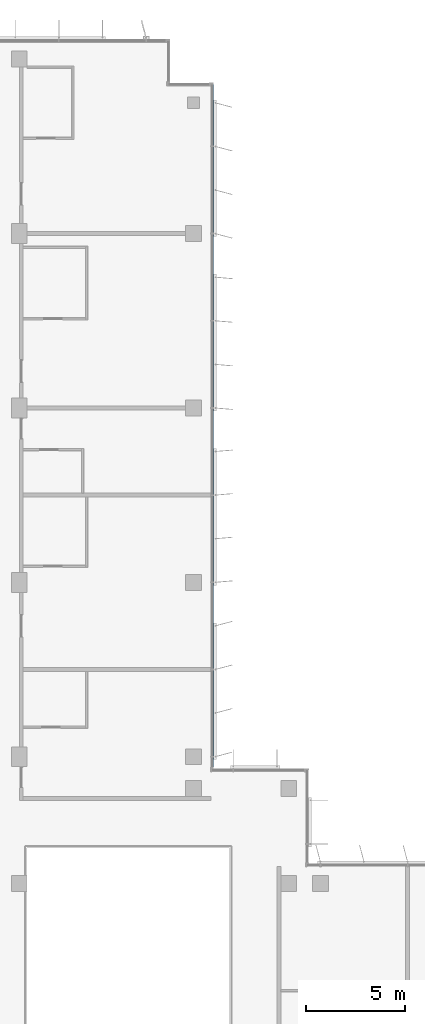
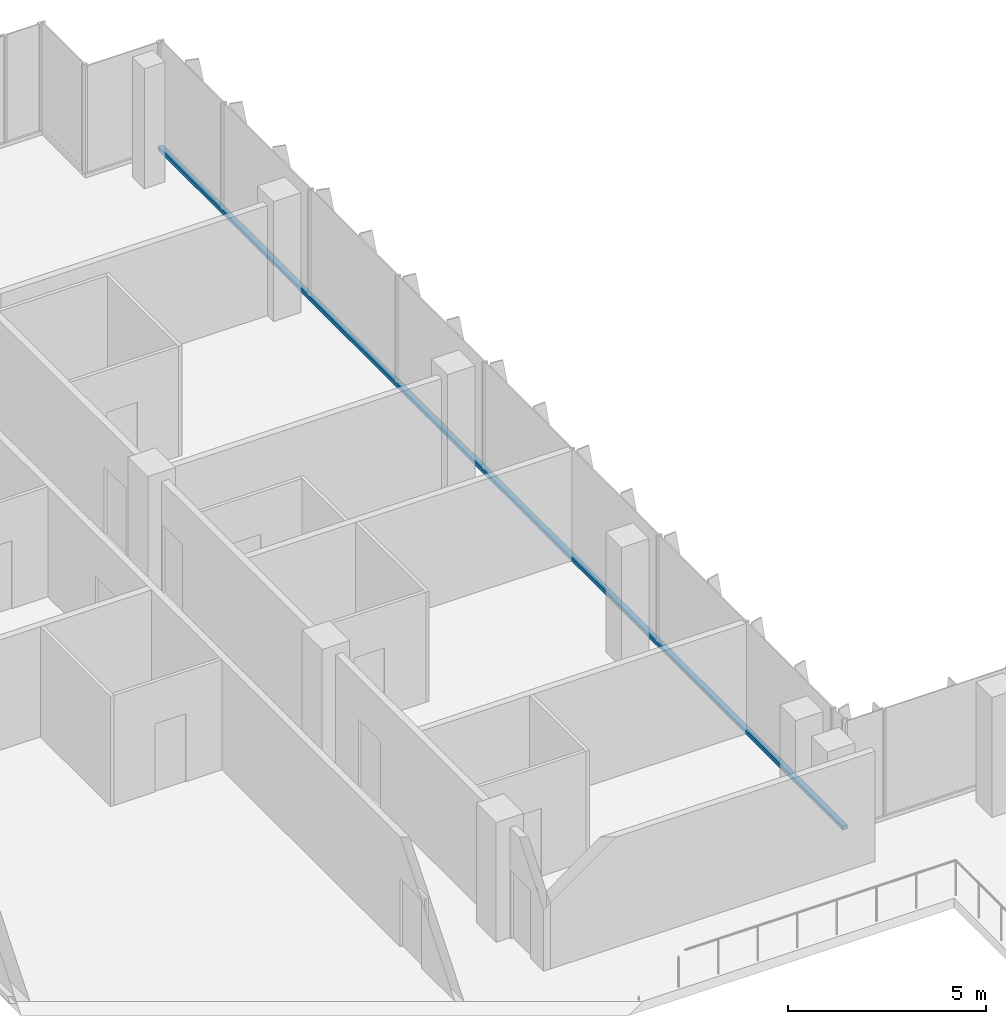
# One storey, part 5 of 15: 1 member, 1 element without a shape of its own.
"""IFC4 building model written with IfcOpenShell, lengths in metres."""

from ifc_helpers import new_model, si_unit, direction, frame, origin, origin_2d, place, context, subcontext, project, spatial, rectangle, extrude, material, material_profile, profile_set, type_object, element, aggregate, save


model = new_model("IFC4")

# Units and contexts
model_context = context("Model", 3, precision=1e-05, world=origin(), true_north=direction((0.0, 1.0)))
body_context = subcontext(model_context, "Body", "Model", "MODEL_VIEW")
ifc_project = project(units=[si_unit("LENGTHUNIT", "METRE"), si_unit("AREAUNIT", "SQUARE_METRE"), si_unit("VOLUMEUNIT", "CUBIC_METRE"), si_unit("PLANEANGLEUNIT", "RADIAN"), si_unit("MASSUNIT", "GRAM", prefix="KILO")], contexts=[model_context])

# Site, building, storey
site_placement = place(None, origin())
site = spatial("IfcSite", under=ifc_project, at=site_placement, CompositionType="ELEMENT")
building_placement = place(site_placement, origin())
building = spatial("IfcBuilding", under=site, at=building_placement, Name="Kemantara Hotel Tower", CompositionType="ELEMENT")
storey_placement = place(building_placement, frame((0.0, 0.0, 298.10009765625)))
storey = spatial("IfcBuildingStorey", under=building, at=storey_placement, Name="L75", CompositionType="ELEMENT", Elevation=298.10009765625)

# Curtain wall, member
ifc_material_1 = material(Name="Low-E tinted double insulated glass 36 mm", Category="glass")
curtain_wall_type = type_object("IfcCurtainWallType", Name="TOWER CURTAIN WALL, FRONT FACES", PredefinedType="USERDEFINED", material=ifc_material_1)
curtain_wall_placement = place(storey_placement, origin())
curtain_wall = element("IfcCurtainWall", 1, at=curtain_wall_placement, inside=storey, type_object=curtain_wall_type, Name="CW4 L75 T4-R15-1", ObjectType="TOWER CURTAIN WALL, FRONT FACES", PredefinedType="USERDEFINED")
ifc_material_2 = material(Name="Aluminium 6063-T6 bronze anodised", Category="aluminium")
ifc_material_profile = material_profile(ifc_material_2, rectangle(XDim=0.14990234375, YDim=0.1201171875, at=origin_2d()), Name="TOWER CURTAIN WALL, FRONT FACES TRANSOM")
ifc_profile_set = profile_set([ifc_material_profile], Name="Aluminium 6063-T6 bronze anodised")
member_type = type_object("IfcMemberType", Name="TOWER CURTAIN WALL, FRONT FACES TRANSOM", PredefinedType="USERDEFINED", material=ifc_profile_set)
member_placement = place(storey_placement, frame((21.925048828125, 26.800048828125, 0.059814453125), z_axis=(0.0, 1.0, 0.0), x_axis=(-1.0, 0.0, 0.0)))
member = element("IfcMember", 2, at=member_placement, type_object=member_type, Name="CW4 sill transom T4-R15-1", ObjectType="TRANSOM", PredefinedType="USERDEFINED", context=body_context, shape_type="SweptSolid", body=[
    extrude(rectangle(XDim=0.14990234375, YDim=0.1201171875, at=origin_2d()), origin(), (0.0, 0.0, 1.0), 34.599853515625),
])
aggregate(curtain_wall, [member])

save(model, "model.ifc")
